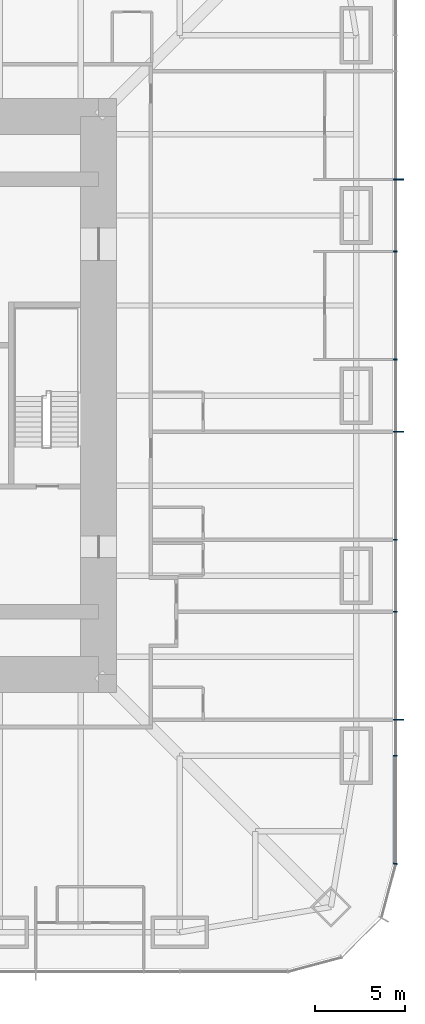
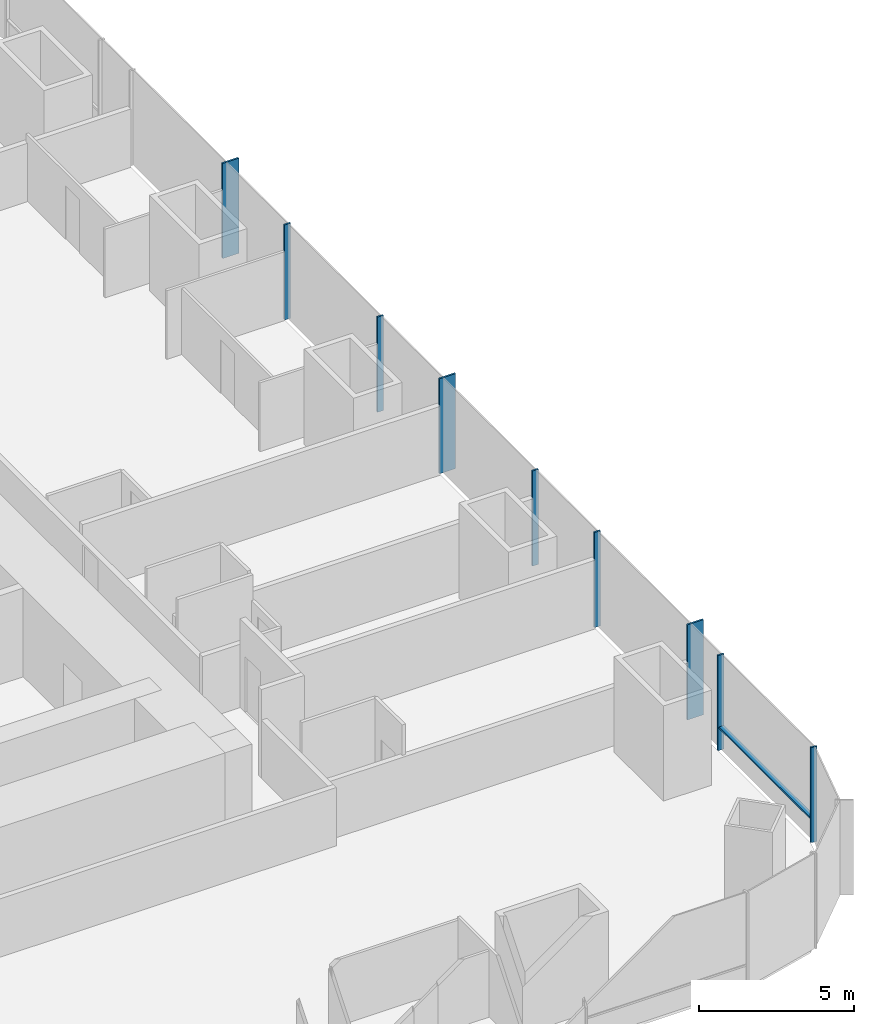
# One storey, part 9 of 20: 10 members, 1 element without a shape of its own.
"""IFC4 building model written with IfcOpenShell, lengths in metres."""

from ifc_helpers import new_model, si_unit, direction, frame, origin, origin_2d, place, context, subcontext, project, spatial, rectangle, extrude, material, material_profile, profile_set, type_object, element, aggregate, save


model = new_model("IFC4")

# Units and contexts
model_context = context("Model", 3, precision=1e-05, world=origin(), true_north=direction((0.0, 1.0)))
body_context = subcontext(model_context, "Body", "Model", "MODEL_VIEW")
ifc_project = project(units=[si_unit("LENGTHUNIT", "METRE"), si_unit("AREAUNIT", "SQUARE_METRE"), si_unit("VOLUMEUNIT", "CUBIC_METRE"), si_unit("PLANEANGLEUNIT", "RADIAN"), si_unit("MASSUNIT", "GRAM", prefix="KILO")], contexts=[model_context])

# Site, building, storey
site_placement = place(None, origin())
site = spatial("IfcSite", under=ifc_project, at=site_placement, CompositionType="ELEMENT")
building_placement = place(site_placement, origin())
building = spatial("IfcBuilding", under=site, at=building_placement, Name="Khuree Lantern Residences", CompositionType="ELEMENT")
storey_placement = place(building_placement, frame((0.0, 0.0, 32.25)))
storey = spatial("IfcBuildingStorey", under=building, at=storey_placement, Name="L07", CompositionType="ELEMENT", Elevation=32.25)

# Curtain wall, members
ifc_material = material(Name="Bronze anodised aluminium", Category="aluminium")
curtain_wall_type = type_object("IfcCurtainWallType", Name="CW-T1 TOWER FACE CURTAIN WALL", PredefinedType="USERDEFINED", material=ifc_material)
curtain_wall_placement = place(storey_placement, origin())
curtain_wall = element("IfcCurtainWall", 1, at=curtain_wall_placement, inside=storey, type_object=curtain_wall_type, Name="L07 EAST FACE CURTAIN WALL", ObjectType="Stick-built curtain wall", PredefinedType="USERDEFINED")
ifc_material_profile_1 = material_profile(ifc_material, rectangle(XDim=0.06494140625, YDim=0.60009765625, at=origin_2d()), Name="F1 65X600")
ifc_profile_set_1 = profile_set([ifc_material_profile_1], Name="Bronze anodised aluminium")
member_type_1 = type_object("IfcMemberType", Name="F1 BRONZE FIN MULLION TOWER 65X600", PredefinedType="MULLION", material=ifc_profile_set_1)
member_1_placement = place(storey_placement, frame((32.14990234375, -18.0, 0.0), z_axis=(0.0, 0.0, 1.0), x_axis=(0.0, 1.0, 0.0)))
member_1 = element("IfcMember", 2, at=member_1_placement, type_object=member_type_1, Name="L07 EAST FACE FIN MULLION 6", PredefinedType="MULLION", context=body_context, shape_type="SweptSolid", body=[
    extrude(rectangle(XDim=0.06494140625, YDim=0.60009765625, at=origin_2d()), origin(), (0.0, 0.0, 1.0), 3.75),
])
member_2_placement = place(storey_placement, frame((32.14990234375, -2.0, 0.0), z_axis=(0.0, 0.0, 1.0), x_axis=(0.0, 1.0, 0.0)))
member_2 = element("IfcMember", 3, at=member_2_placement, type_object=member_type_1, Name="L07 EAST FACE FIN MULLION 9", PredefinedType="MULLION", context=body_context, shape_type="SweptSolid", body=[
    extrude(rectangle(XDim=0.06494140625, YDim=0.60009765625, at=origin_2d()), origin(), (0.0, 0.0, 1.0), 3.75),
])
member_3_placement = place(storey_placement, frame((32.14990234375, 12.0, 0.0), z_axis=(0.0, 0.0, 1.0), x_axis=(0.0, 1.0, 0.0)))
member_3 = element("IfcMember", 4, at=member_3_placement, type_object=member_type_1, Name="L07 EAST FACE FIN MULLION 12", PredefinedType="MULLION", context=body_context, shape_type="SweptSolid", body=[
    extrude(rectangle(XDim=0.06494140625, YDim=0.60009765625, at=origin_2d()), origin(), (0.0, 0.0, 1.0), 3.75),
])
ifc_material_profile_2 = material_profile(ifc_material, rectangle(XDim=0.06494140625, YDim=0.219970703125, at=origin_2d()), Name="M1 65X220")
ifc_profile_set_2 = profile_set([ifc_material_profile_2], Name="Bronze anodised aluminium")
member_type_2 = type_object("IfcMemberType", Name="M1 BRONZE MULLION TOWER 65X220", PredefinedType="MULLION", material=ifc_profile_set_2)
member_4_placement = place(storey_placement, frame((31.961669921875, -25.994873046875, 0.0), z_axis=(0.0, 0.0, 1.0), x_axis=(0.130526257387, 0.991444852794, 0.0)))
member_4 = element("IfcMember", 5, at=member_4_placement, type_object=member_type_2, Name="L07 EAST FACE MULLION 4", PredefinedType="MULLION", context=body_context, shape_type="SweptSolid", body=[
    extrude(rectangle(XDim=0.06494140625, YDim=0.219970703125, at=origin_2d()), origin(), (0.0, 0.0, 1.0), 3.75),
])
member_5_placement = place(storey_placement, frame((31.9599609375, -20.0, 0.0), z_axis=(0.0, 0.0, 1.0), x_axis=(0.0, 1.0, 0.0)))
member_5 = element("IfcMember", 6, at=member_5_placement, type_object=member_type_2, Name="L07 EAST FACE MULLION 5", PredefinedType="MULLION", context=body_context, shape_type="SweptSolid", body=[
    extrude(rectangle(XDim=0.06494140625, YDim=0.219970703125, at=origin_2d()), origin(), (0.0, 0.0, 1.0), 3.75),
])
member_6_placement = place(storey_placement, frame((31.9599609375, -12.0, 0.0), z_axis=(0.0, 0.0, 1.0), x_axis=(0.0, 1.0, 0.0)))
member_6 = element("IfcMember", 7, at=member_6_placement, type_object=member_type_2, Name="L07 EAST FACE MULLION 7", PredefinedType="MULLION", context=body_context, shape_type="SweptSolid", body=[
    extrude(rectangle(XDim=0.06494140625, YDim=0.219970703125, at=origin_2d()), origin(), (0.0, 0.0, 1.0), 3.75),
])
member_7_placement = place(storey_placement, frame((31.9599609375, -8.0, 0.0), z_axis=(0.0, 0.0, 1.0), x_axis=(0.0, 1.0, 0.0)))
member_7 = element("IfcMember", 8, at=member_7_placement, type_object=member_type_2, Name="L07 EAST FACE MULLION 8", PredefinedType="MULLION", context=body_context, shape_type="SweptSolid", body=[
    extrude(rectangle(XDim=0.06494140625, YDim=0.219970703125, at=origin_2d()), origin(), (0.0, 0.0, 1.0), 3.75),
])
member_8_placement = place(storey_placement, frame((31.9599609375, 2.0, 0.0), z_axis=(0.0, 0.0, 1.0), x_axis=(0.0, 1.0, 0.0)))
member_8 = element("IfcMember", 9, at=member_8_placement, type_object=member_type_2, Name="L07 EAST FACE MULLION 10", PredefinedType="MULLION", context=body_context, shape_type="SweptSolid", body=[
    extrude(rectangle(XDim=0.06494140625, YDim=0.219970703125, at=origin_2d()), origin(), (0.0, 0.0, 1.0), 3.75),
])
member_9_placement = place(storey_placement, frame((31.9599609375, 8.0, 0.0), z_axis=(0.0, 0.0, 1.0), x_axis=(0.0, 1.0, 0.0)))
member_9 = element("IfcMember", 10, at=member_9_placement, type_object=member_type_2, Name="L07 EAST FACE MULLION 11", PredefinedType="MULLION", context=body_context, shape_type="SweptSolid", body=[
    extrude(rectangle(XDim=0.06494140625, YDim=0.219970703125, at=origin_2d()), origin(), (0.0, 0.0, 1.0), 3.75),
])
ifc_material_profile_3 = material_profile(ifc_material, rectangle(XDim=0.179931640625, YDim=0.06494140625, at=origin_2d()), Name="T1 180X65")
ifc_profile_set_3 = profile_set([ifc_material_profile_3], Name="Bronze anodised aluminium")
member_type_3 = type_object("IfcMemberType", Name="TRANSOM T1 TOWER 180X65", PredefinedType="USERDEFINED", material=ifc_profile_set_3)
member_10_placement = place(storey_placement, frame((31.969970703125, -25.951416015625, 0.89990234375), z_axis=(0.0, 1.0, 0.0), x_axis=(-1.0, 0.0, 0.0)))
member_10 = element("IfcMember", 11, at=member_10_placement, type_object=member_type_3, Name="L07 EAST FACE TRANSOM 4.1", ObjectType="Transom", PredefinedType="USERDEFINED", context=body_context, shape_type="SweptSolid", body=[
    extrude(rectangle(XDim=0.179931640625, YDim=0.06494140625, at=origin_2d()), origin(), (0.0, 0.0, 1.0), 5.9189453125),
])
aggregate(curtain_wall, [member_4, member_5, member_1, member_6, member_7, member_2, member_8, member_9, member_3, member_10])

save(model, "model.ifc")
